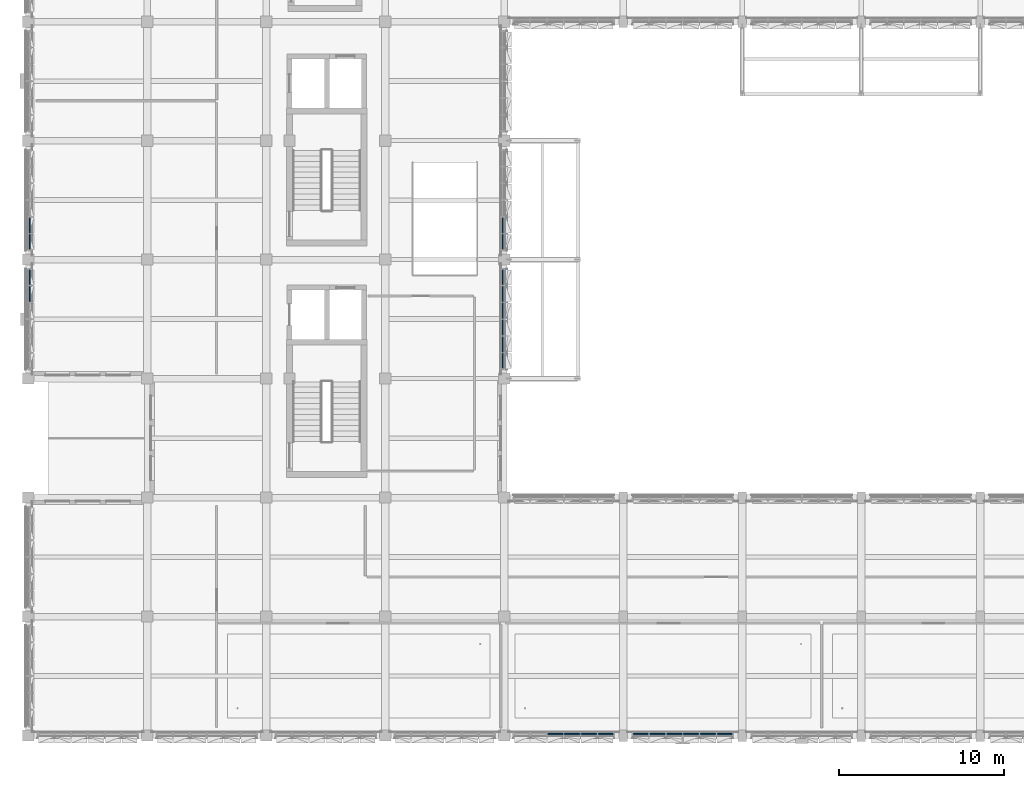
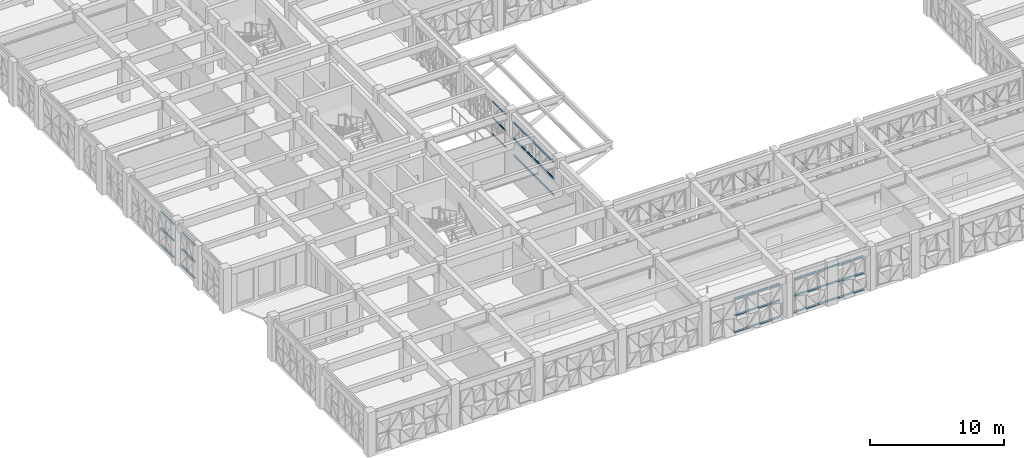
# One storey, part 20 of 88: 66 members, 6 elements without a shape of their own.
"""IFC4 building model written with IfcOpenShell, lengths in metres."""

from ifc_helpers import new_model, si_unit, direction, frame, origin, origin_2d, place, context, subcontext, project, spatial, rectangle, extrude, material, material_profile, profile_set, type_object, element, aggregate, save


model = new_model("IFC4")

# Units and contexts
model_context = context("Model", 3, precision=1e-05, world=origin(), true_north=direction((0.0, 1.0)))
body_context = subcontext(model_context, "Body", "Model", "MODEL_VIEW")
ifc_project = project(units=[si_unit("LENGTHUNIT", "METRE"), si_unit("AREAUNIT", "SQUARE_METRE"), si_unit("VOLUMEUNIT", "CUBIC_METRE"), si_unit("PLANEANGLEUNIT", "RADIAN"), si_unit("MASSUNIT", "GRAM", prefix="KILO")], contexts=[model_context])

# Site, building, storey
site_placement = place(None, origin())
site = spatial("IfcSite", under=ifc_project, at=site_placement, CompositionType="ELEMENT")
building_placement = place(site_placement, origin())
building = spatial("IfcBuilding", under=site, at=building_placement, Name="Alvorim Cloister Faculty of Sciences", CompositionType="ELEMENT")
storey_placement = place(building_placement, frame((0.0, 0.0, 4.5)))
storey = spatial("IfcBuildingStorey", under=building, at=storey_placement, Name="L01", CompositionType="ELEMENT", Elevation=4.5)

# Curtain wall, members
ifc_material_1 = material(Name="Aluminium and Low-E Glass Curtain Wall", Category="aluminium")
curtain_wall_type = type_object("IfcCurtainWallType", Name="CW-TRI-6120x3170", PredefinedType="USERDEFINED", material=ifc_material_1)
curtain_wall_1_placement = place(storey_placement, origin())
curtain_wall_1 = element("IfcCurtainWall", 1, at=curtain_wall_1_placement, inside=storey, type_object=curtain_wall_type, Name="L01 Diagonal Cassette Curtain Wall CW-0007", ObjectType="UNITISED CURTAIN WALL", PredefinedType="USERDEFINED")
ifc_material_2 = material(Name="Aluminium Alloy 6063-T6", Category="aluminium")
ifc_material_profile = material_profile(ifc_material_2, rectangle(XDim=0.074951171875, YDim=0.159912109375, at=origin_2d()), Name="ALU-TRN-75x160")
ifc_profile_set = profile_set([ifc_material_profile], Name="Aluminium Alloy 6063-T6")
member_type = type_object("IfcMemberType", Name="CW-TRN-75x160", PredefinedType="USERDEFINED", material=ifc_profile_set)
member_1_placement = place(storey_placement, frame((0.090087890625, 26.257568359375, 0.080078125), z_axis=(0.0, 1.0, 0.0), x_axis=(-1.0, 0.0, 0.0)))
member_1 = element("IfcMember", 2, at=member_1_placement, type_object=member_type, Name="CW-0007 Transom 5.1", ObjectType="TRANSOM", PredefinedType="USERDEFINED", context=body_context, shape_type="SweptSolid", body=[
    extrude(rectangle(XDim=0.074951171875, YDim=0.159912109375, at=origin_2d()), origin(), (0.0, 0.0, 1.0), 0.94482421875),
])
member_2_placement = place(storey_placement, frame((0.090087890625, 26.257568359375, 1.5849609375), z_axis=(0.0, 1.0, 0.0), x_axis=(-1.0, 0.0, 0.0)))
member_2 = element("IfcMember", 3, at=member_2_placement, type_object=member_type, Name="CW-0007 Transom 5.2", ObjectType="TRANSOM", PredefinedType="USERDEFINED", context=body_context, shape_type="SweptSolid", body=[
    extrude(rectangle(XDim=0.074951171875, YDim=0.159912109375, at=origin_2d()), origin(), (0.0, 0.0, 1.0), 0.94482421875),
])
member_3_placement = place(storey_placement, frame((0.090087890625, 26.257568359375, 3.090087890625), z_axis=(0.0, 1.0, 0.0), x_axis=(-1.0, 0.0, 0.0)))
member_3 = element("IfcMember", 4, at=member_3_placement, type_object=member_type, Name="CW-0007 Transom 5.3", ObjectType="TRANSOM", PredefinedType="USERDEFINED", context=body_context, shape_type="SweptSolid", body=[
    extrude(rectangle(XDim=0.074951171875, YDim=0.159912109375, at=origin_2d()), origin(), (0.0, 0.0, 1.0), 0.94482421875),
])
member_4_placement = place(storey_placement, frame((0.090087890625, 27.277587890625, 0.080078125), z_axis=(0.0, 1.0, 0.0), x_axis=(-1.0, 0.0, 0.0)))
member_4 = element("IfcMember", 5, at=member_4_placement, type_object=member_type, Name="CW-0007 Transom 6.1", ObjectType="TRANSOM", PredefinedType="USERDEFINED", context=body_context, shape_type="SweptSolid", body=[
    extrude(rectangle(XDim=0.074951171875, YDim=0.159912109375, at=origin_2d()), origin(), (0.0, 0.0, 1.0), 0.907470703125),
])
member_5_placement = place(storey_placement, frame((0.090087890625, 27.277587890625, 1.5849609375), z_axis=(0.0, 1.0, 0.0), x_axis=(-1.0, 0.0, 0.0)))
member_5 = element("IfcMember", 6, at=member_5_placement, type_object=member_type, Name="CW-0007 Transom 6.2", ObjectType="TRANSOM", PredefinedType="USERDEFINED", context=body_context, shape_type="SweptSolid", body=[
    extrude(rectangle(XDim=0.074951171875, YDim=0.159912109375, at=origin_2d()), origin(), (0.0, 0.0, 1.0), 0.907470703125),
])
member_6_placement = place(storey_placement, frame((0.090087890625, 27.277587890625, 3.090087890625), z_axis=(0.0, 1.0, 0.0), x_axis=(-1.0, 0.0, 0.0)))
member_6 = element("IfcMember", 7, at=member_6_placement, type_object=member_type, Name="CW-0007 Transom 6.3", ObjectType="TRANSOM", PredefinedType="USERDEFINED", context=body_context, shape_type="SweptSolid", body=[
    extrude(rectangle(XDim=0.074951171875, YDim=0.159912109375, at=origin_2d()), origin(), (0.0, 0.0, 1.0), 0.907470703125),
])
aggregate(curtain_wall_1, [member_1, member_2, member_3, member_4, member_5, member_6])

curtain_wall_2_placement = place(storey_placement, origin())
curtain_wall_2 = element("IfcCurtainWall", 8, at=curtain_wall_2_placement, inside=storey, type_object=curtain_wall_type, Name="L01 Diagonal Cassette Curtain Wall CW-0008", ObjectType="UNITISED CURTAIN WALL", PredefinedType="USERDEFINED")
member_7_placement = place(storey_placement, frame((0.090087890625, 29.4150390625, 0.080078125), z_axis=(0.0, 1.0, 0.0), x_axis=(-1.0, 0.0, 0.0)))
member_7 = element("IfcMember", 9, at=member_7_placement, type_object=member_type, Name="CW-0008 Transom 1.1", ObjectType="TRANSOM", PredefinedType="USERDEFINED", context=body_context, shape_type="SweptSolid", body=[
    extrude(rectangle(XDim=0.074951171875, YDim=0.159912109375, at=origin_2d()), origin(), (0.0, 0.0, 1.0), 0.907470703125),
])
member_8_placement = place(storey_placement, frame((0.090087890625, 29.4150390625, 1.5849609375), z_axis=(0.0, 1.0, 0.0), x_axis=(-1.0, 0.0, 0.0)))
member_8 = element("IfcMember", 10, at=member_8_placement, type_object=member_type, Name="CW-0008 Transom 1.2", ObjectType="TRANSOM", PredefinedType="USERDEFINED", context=body_context, shape_type="SweptSolid", body=[
    extrude(rectangle(XDim=0.074951171875, YDim=0.159912109375, at=origin_2d()), origin(), (0.0, 0.0, 1.0), 0.907470703125),
])
member_9_placement = place(storey_placement, frame((0.090087890625, 29.4150390625, 3.090087890625), z_axis=(0.0, 1.0, 0.0), x_axis=(-1.0, 0.0, 0.0)))
member_9 = element("IfcMember", 11, at=member_9_placement, type_object=member_type, Name="CW-0008 Transom 1.3", ObjectType="TRANSOM", PredefinedType="USERDEFINED", context=body_context, shape_type="SweptSolid", body=[
    extrude(rectangle(XDim=0.074951171875, YDim=0.159912109375, at=origin_2d()), origin(), (0.0, 0.0, 1.0), 0.907470703125),
])
member_10_placement = place(storey_placement, frame((0.090087890625, 30.3974609375, 0.080078125), z_axis=(0.0, 1.0, 0.0), x_axis=(-1.0, 0.0, 0.0)))
member_10 = element("IfcMember", 12, at=member_10_placement, type_object=member_type, Name="CW-0008 Transom 2.1", ObjectType="TRANSOM", PredefinedType="USERDEFINED", context=body_context, shape_type="SweptSolid", body=[
    extrude(rectangle(XDim=0.074951171875, YDim=0.159912109375, at=origin_2d()), origin(), (0.0, 0.0, 1.0), 0.945068359375),
])
member_11_placement = place(storey_placement, frame((0.090087890625, 30.3974609375, 1.5849609375), z_axis=(0.0, 1.0, 0.0), x_axis=(-1.0, 0.0, 0.0)))
member_11 = element("IfcMember", 13, at=member_11_placement, type_object=member_type, Name="CW-0008 Transom 2.2", ObjectType="TRANSOM", PredefinedType="USERDEFINED", context=body_context, shape_type="SweptSolid", body=[
    extrude(rectangle(XDim=0.074951171875, YDim=0.159912109375, at=origin_2d()), origin(), (0.0, 0.0, 1.0), 0.945068359375),
])
member_12_placement = place(storey_placement, frame((0.090087890625, 30.3974609375, 3.090087890625), z_axis=(0.0, 1.0, 0.0), x_axis=(-1.0, 0.0, 0.0)))
member_12 = element("IfcMember", 14, at=member_12_placement, type_object=member_type, Name="CW-0008 Transom 2.3", ObjectType="TRANSOM", PredefinedType="USERDEFINED", context=body_context, shape_type="SweptSolid", body=[
    extrude(rectangle(XDim=0.074951171875, YDim=0.159912109375, at=origin_2d()), origin(), (0.0, 0.0, 1.0), 0.945068359375),
])
aggregate(curtain_wall_2, [member_7, member_8, member_9, member_10, member_11, member_12])

curtain_wall_3_placement = place(storey_placement, origin())
curtain_wall_3 = element("IfcCurtainWall", 15, at=curtain_wall_3_placement, inside=storey, type_object=curtain_wall_type, Name="L01 Diagonal Cassette Curtain Wall CW-0025", ObjectType="UNITISED CURTAIN WALL", PredefinedType="USERDEFINED")
member_13_placement = place(storey_placement, frame((28.7099609375, 29.4150390625, 0.080078125), z_axis=(0.0, 1.0, 0.0), x_axis=(-1.0, 0.0, 0.0)))
member_13 = element("IfcMember", 16, at=member_13_placement, type_object=member_type, Name="CW-0025 Transom 1.1", ObjectType="TRANSOM", PredefinedType="USERDEFINED", context=body_context, shape_type="SweptSolid", body=[
    extrude(rectangle(XDim=0.074951171875, YDim=0.159912109375, at=origin_2d()), origin(), (0.0, 0.0, 1.0), 0.907470703125),
])
member_14_placement = place(storey_placement, frame((28.7099609375, 29.4150390625, 1.5849609375), z_axis=(0.0, 1.0, 0.0), x_axis=(-1.0, 0.0, 0.0)))
member_14 = element("IfcMember", 17, at=member_14_placement, type_object=member_type, Name="CW-0025 Transom 1.2", ObjectType="TRANSOM", PredefinedType="USERDEFINED", context=body_context, shape_type="SweptSolid", body=[
    extrude(rectangle(XDim=0.074951171875, YDim=0.159912109375, at=origin_2d()), origin(), (0.0, 0.0, 1.0), 0.907470703125),
])
member_15_placement = place(storey_placement, frame((28.7099609375, 29.4150390625, 3.090087890625), z_axis=(0.0, 1.0, 0.0), x_axis=(-1.0, 0.0, 0.0)))
member_15 = element("IfcMember", 18, at=member_15_placement, type_object=member_type, Name="CW-0025 Transom 1.3", ObjectType="TRANSOM", PredefinedType="USERDEFINED", context=body_context, shape_type="SweptSolid", body=[
    extrude(rectangle(XDim=0.074951171875, YDim=0.159912109375, at=origin_2d()), origin(), (0.0, 0.0, 1.0), 0.907470703125),
])
member_16_placement = place(storey_placement, frame((28.7099609375, 30.3974609375, 0.080078125), z_axis=(0.0, 1.0, 0.0), x_axis=(-1.0, 0.0, 0.0)))
member_16 = element("IfcMember", 19, at=member_16_placement, type_object=member_type, Name="CW-0025 Transom 2.1", ObjectType="TRANSOM", PredefinedType="USERDEFINED", context=body_context, shape_type="SweptSolid", body=[
    extrude(rectangle(XDim=0.074951171875, YDim=0.159912109375, at=origin_2d()), origin(), (0.0, 0.0, 1.0), 0.945068359375),
])
member_17_placement = place(storey_placement, frame((28.7099609375, 30.3974609375, 1.5849609375), z_axis=(0.0, 1.0, 0.0), x_axis=(-1.0, 0.0, 0.0)))
member_17 = element("IfcMember", 20, at=member_17_placement, type_object=member_type, Name="CW-0025 Transom 2.2", ObjectType="TRANSOM", PredefinedType="USERDEFINED", context=body_context, shape_type="SweptSolid", body=[
    extrude(rectangle(XDim=0.074951171875, YDim=0.159912109375, at=origin_2d()), origin(), (0.0, 0.0, 1.0), 0.945068359375),
])
member_18_placement = place(storey_placement, frame((28.7099609375, 30.3974609375, 3.090087890625), z_axis=(0.0, 1.0, 0.0), x_axis=(-1.0, 0.0, 0.0)))
member_18 = element("IfcMember", 21, at=member_18_placement, type_object=member_type, Name="CW-0025 Transom 2.3", ObjectType="TRANSOM", PredefinedType="USERDEFINED", context=body_context, shape_type="SweptSolid", body=[
    extrude(rectangle(XDim=0.074951171875, YDim=0.159912109375, at=origin_2d()), origin(), (0.0, 0.0, 1.0), 0.945068359375),
])
aggregate(curtain_wall_3, [member_13, member_14, member_15, member_16, member_17, member_18])

curtain_wall_4_placement = place(storey_placement, origin())
curtain_wall_4 = element("IfcCurtainWall", 22, at=curtain_wall_4_placement, inside=storey, type_object=curtain_wall_type, Name="L01 Diagonal Cassette Curtain Wall CW-0026", ObjectType="UNITISED CURTAIN WALL", PredefinedType="USERDEFINED")
member_19_placement = place(storey_placement, frame((28.7099609375, 22.215087890625, 0.080078125), z_axis=(0.0, 1.0, 0.0), x_axis=(-1.0, 0.0, 0.0)))
member_19 = element("IfcMember", 23, at=member_19_placement, type_object=member_type, Name="CW-0026 Transom 1.1", ObjectType="TRANSOM", PredefinedType="USERDEFINED", context=body_context, shape_type="SweptSolid", body=[
    extrude(rectangle(XDim=0.074951171875, YDim=0.159912109375, at=origin_2d()), origin(), (0.0, 0.0, 1.0), 0.907470703125),
])
member_20_placement = place(storey_placement, frame((28.7099609375, 22.215087890625, 1.5849609375), z_axis=(0.0, 1.0, 0.0), x_axis=(-1.0, 0.0, 0.0)))
member_20 = element("IfcMember", 24, at=member_20_placement, type_object=member_type, Name="CW-0026 Transom 1.2", ObjectType="TRANSOM", PredefinedType="USERDEFINED", context=body_context, shape_type="SweptSolid", body=[
    extrude(rectangle(XDim=0.074951171875, YDim=0.159912109375, at=origin_2d()), origin(), (0.0, 0.0, 1.0), 0.907470703125),
])
member_21_placement = place(storey_placement, frame((28.7099609375, 22.215087890625, 3.090087890625), z_axis=(0.0, 1.0, 0.0), x_axis=(-1.0, 0.0, 0.0)))
member_21 = element("IfcMember", 25, at=member_21_placement, type_object=member_type, Name="CW-0026 Transom 1.3", ObjectType="TRANSOM", PredefinedType="USERDEFINED", context=body_context, shape_type="SweptSolid", body=[
    extrude(rectangle(XDim=0.074951171875, YDim=0.159912109375, at=origin_2d()), origin(), (0.0, 0.0, 1.0), 0.907470703125),
])
member_22_placement = place(storey_placement, frame((28.7099609375, 23.197509765625, 0.080078125), z_axis=(0.0, 1.0, 0.0), x_axis=(-1.0, 0.0, 0.0)))
member_22 = element("IfcMember", 26, at=member_22_placement, type_object=member_type, Name="CW-0026 Transom 2.1", ObjectType="TRANSOM", PredefinedType="USERDEFINED", context=body_context, shape_type="SweptSolid", body=[
    extrude(rectangle(XDim=0.074951171875, YDim=0.159912109375, at=origin_2d()), origin(), (0.0, 0.0, 1.0), 0.945068359375),
])
member_23_placement = place(storey_placement, frame((28.7099609375, 23.197509765625, 1.5849609375), z_axis=(0.0, 1.0, 0.0), x_axis=(-1.0, 0.0, 0.0)))
member_23 = element("IfcMember", 27, at=member_23_placement, type_object=member_type, Name="CW-0026 Transom 2.2", ObjectType="TRANSOM", PredefinedType="USERDEFINED", context=body_context, shape_type="SweptSolid", body=[
    extrude(rectangle(XDim=0.074951171875, YDim=0.159912109375, at=origin_2d()), origin(), (0.0, 0.0, 1.0), 0.945068359375),
])
member_24_placement = place(storey_placement, frame((28.7099609375, 23.197509765625, 3.090087890625), z_axis=(0.0, 1.0, 0.0), x_axis=(-1.0, 0.0, 0.0)))
member_24 = element("IfcMember", 28, at=member_24_placement, type_object=member_type, Name="CW-0026 Transom 2.3", ObjectType="TRANSOM", PredefinedType="USERDEFINED", context=body_context, shape_type="SweptSolid", body=[
    extrude(rectangle(XDim=0.074951171875, YDim=0.159912109375, at=origin_2d()), origin(), (0.0, 0.0, 1.0), 0.945068359375),
])
member_25_placement = place(storey_placement, frame((28.7099609375, 24.217529296875, 0.080078125), z_axis=(0.0, 1.0, 0.0), x_axis=(-1.0, 0.0, 0.0)))
member_25 = element("IfcMember", 29, at=member_25_placement, type_object=member_type, Name="CW-0026 Transom 3.1", ObjectType="TRANSOM", PredefinedType="USERDEFINED", context=body_context, shape_type="SweptSolid", body=[
    extrude(rectangle(XDim=0.074951171875, YDim=0.159912109375, at=origin_2d()), origin(), (0.0, 0.0, 1.0), 0.945068359375),
])
member_26_placement = place(storey_placement, frame((28.7099609375, 24.217529296875, 1.5849609375), z_axis=(0.0, 1.0, 0.0), x_axis=(-1.0, 0.0, 0.0)))
member_26 = element("IfcMember", 30, at=member_26_placement, type_object=member_type, Name="CW-0026 Transom 3.2", ObjectType="TRANSOM", PredefinedType="USERDEFINED", context=body_context, shape_type="SweptSolid", body=[
    extrude(rectangle(XDim=0.074951171875, YDim=0.159912109375, at=origin_2d()), origin(), (0.0, 0.0, 1.0), 0.945068359375),
])
member_27_placement = place(storey_placement, frame((28.7099609375, 24.217529296875, 3.090087890625), z_axis=(0.0, 1.0, 0.0), x_axis=(-1.0, 0.0, 0.0)))
member_27 = element("IfcMember", 31, at=member_27_placement, type_object=member_type, Name="CW-0026 Transom 3.3", ObjectType="TRANSOM", PredefinedType="USERDEFINED", context=body_context, shape_type="SweptSolid", body=[
    extrude(rectangle(XDim=0.074951171875, YDim=0.159912109375, at=origin_2d()), origin(), (0.0, 0.0, 1.0), 0.945068359375),
])
member_28_placement = place(storey_placement, frame((28.7099609375, 25.237548828125, 0.080078125), z_axis=(0.0, 1.0, 0.0), x_axis=(-1.0, 0.0, 0.0)))
member_28 = element("IfcMember", 32, at=member_28_placement, type_object=member_type, Name="CW-0026 Transom 4.1", ObjectType="TRANSOM", PredefinedType="USERDEFINED", context=body_context, shape_type="SweptSolid", body=[
    extrude(rectangle(XDim=0.074951171875, YDim=0.159912109375, at=origin_2d()), origin(), (0.0, 0.0, 1.0), 0.945068359375),
])
member_29_placement = place(storey_placement, frame((28.7099609375, 25.237548828125, 1.5849609375), z_axis=(0.0, 1.0, 0.0), x_axis=(-1.0, 0.0, 0.0)))
member_29 = element("IfcMember", 33, at=member_29_placement, type_object=member_type, Name="CW-0026 Transom 4.2", ObjectType="TRANSOM", PredefinedType="USERDEFINED", context=body_context, shape_type="SweptSolid", body=[
    extrude(rectangle(XDim=0.074951171875, YDim=0.159912109375, at=origin_2d()), origin(), (0.0, 0.0, 1.0), 0.945068359375),
])
member_30_placement = place(storey_placement, frame((28.7099609375, 25.237548828125, 3.090087890625), z_axis=(0.0, 1.0, 0.0), x_axis=(-1.0, 0.0, 0.0)))
member_30 = element("IfcMember", 34, at=member_30_placement, type_object=member_type, Name="CW-0026 Transom 4.3", ObjectType="TRANSOM", PredefinedType="USERDEFINED", context=body_context, shape_type="SweptSolid", body=[
    extrude(rectangle(XDim=0.074951171875, YDim=0.159912109375, at=origin_2d()), origin(), (0.0, 0.0, 1.0), 0.945068359375),
])
member_31_placement = place(storey_placement, frame((28.7099609375, 26.257568359375, 0.080078125), z_axis=(0.0, 1.0, 0.0), x_axis=(-1.0, 0.0, 0.0)))
member_31 = element("IfcMember", 35, at=member_31_placement, type_object=member_type, Name="CW-0026 Transom 5.1", ObjectType="TRANSOM", PredefinedType="USERDEFINED", context=body_context, shape_type="SweptSolid", body=[
    extrude(rectangle(XDim=0.074951171875, YDim=0.159912109375, at=origin_2d()), origin(), (0.0, 0.0, 1.0), 0.94482421875),
])
member_32_placement = place(storey_placement, frame((28.7099609375, 26.257568359375, 1.5849609375), z_axis=(0.0, 1.0, 0.0), x_axis=(-1.0, 0.0, 0.0)))
member_32 = element("IfcMember", 36, at=member_32_placement, type_object=member_type, Name="CW-0026 Transom 5.2", ObjectType="TRANSOM", PredefinedType="USERDEFINED", context=body_context, shape_type="SweptSolid", body=[
    extrude(rectangle(XDim=0.074951171875, YDim=0.159912109375, at=origin_2d()), origin(), (0.0, 0.0, 1.0), 0.94482421875),
])
member_33_placement = place(storey_placement, frame((28.7099609375, 26.257568359375, 3.090087890625), z_axis=(0.0, 1.0, 0.0), x_axis=(-1.0, 0.0, 0.0)))
member_33 = element("IfcMember", 37, at=member_33_placement, type_object=member_type, Name="CW-0026 Transom 5.3", ObjectType="TRANSOM", PredefinedType="USERDEFINED", context=body_context, shape_type="SweptSolid", body=[
    extrude(rectangle(XDim=0.074951171875, YDim=0.159912109375, at=origin_2d()), origin(), (0.0, 0.0, 1.0), 0.94482421875),
])
member_34_placement = place(storey_placement, frame((28.7099609375, 27.277587890625, 0.080078125), z_axis=(0.0, 1.0, 0.0), x_axis=(-1.0, 0.0, 0.0)))
member_34 = element("IfcMember", 38, at=member_34_placement, type_object=member_type, Name="CW-0026 Transom 6.1", ObjectType="TRANSOM", PredefinedType="USERDEFINED", context=body_context, shape_type="SweptSolid", body=[
    extrude(rectangle(XDim=0.074951171875, YDim=0.159912109375, at=origin_2d()), origin(), (0.0, 0.0, 1.0), 0.907470703125),
])
member_35_placement = place(storey_placement, frame((28.7099609375, 27.277587890625, 1.5849609375), z_axis=(0.0, 1.0, 0.0), x_axis=(-1.0, 0.0, 0.0)))
member_35 = element("IfcMember", 39, at=member_35_placement, type_object=member_type, Name="CW-0026 Transom 6.2", ObjectType="TRANSOM", PredefinedType="USERDEFINED", context=body_context, shape_type="SweptSolid", body=[
    extrude(rectangle(XDim=0.074951171875, YDim=0.159912109375, at=origin_2d()), origin(), (0.0, 0.0, 1.0), 0.907470703125),
])
member_36_placement = place(storey_placement, frame((28.7099609375, 27.277587890625, 3.090087890625), z_axis=(0.0, 1.0, 0.0), x_axis=(-1.0, 0.0, 0.0)))
member_36 = element("IfcMember", 40, at=member_36_placement, type_object=member_type, Name="CW-0026 Transom 6.3", ObjectType="TRANSOM", PredefinedType="USERDEFINED", context=body_context, shape_type="SweptSolid", body=[
    extrude(rectangle(XDim=0.074951171875, YDim=0.159912109375, at=origin_2d()), origin(), (0.0, 0.0, 1.0), 0.907470703125),
])
aggregate(curtain_wall_4, [member_19, member_20, member_21, member_22, member_23, member_24, member_25, member_26, member_27, member_28, member_29, member_30, member_31, member_32, member_33, member_34, member_35, member_36])

curtain_wall_5_placement = place(storey_placement, origin())
curtain_wall_5 = element("IfcCurtainWall", 41, at=curtain_wall_5_placement, inside=storey, type_object=curtain_wall_type, Name="L01 Diagonal Cassette Curtain Wall CW-0043", ObjectType="UNITISED CURTAIN WALL", PredefinedType="USERDEFINED")
member_37_placement = place(storey_placement, frame((36.614990234375, 0.090087890625, 0.080078125), z_axis=(1.0, 0.0, 0.0), x_axis=(0.0, 1.0, 0.0)))
member_37 = element("IfcMember", 42, at=member_37_placement, type_object=member_type, Name="CW-0043 Transom 1.1", ObjectType="TRANSOM", PredefinedType="USERDEFINED", context=body_context, shape_type="SweptSolid", body=[
    extrude(rectangle(XDim=0.074951171875, YDim=0.159912109375, at=origin_2d()), origin(), (0.0, 0.0, 1.0), 0.907470703125),
])
member_38_placement = place(storey_placement, frame((36.614990234375, 0.090087890625, 1.5849609375), z_axis=(1.0, 0.0, 0.0), x_axis=(0.0, 1.0, 0.0)))
member_38 = element("IfcMember", 43, at=member_38_placement, type_object=member_type, Name="CW-0043 Transom 1.2", ObjectType="TRANSOM", PredefinedType="USERDEFINED", context=body_context, shape_type="SweptSolid", body=[
    extrude(rectangle(XDim=0.074951171875, YDim=0.159912109375, at=origin_2d()), origin(), (0.0, 0.0, 1.0), 0.907470703125),
])
member_39_placement = place(storey_placement, frame((36.614990234375, 0.090087890625, 3.090087890625), z_axis=(1.0, 0.0, 0.0), x_axis=(0.0, 1.0, 0.0)))
member_39 = element("IfcMember", 44, at=member_39_placement, type_object=member_type, Name="CW-0043 Transom 1.3", ObjectType="TRANSOM", PredefinedType="USERDEFINED", context=body_context, shape_type="SweptSolid", body=[
    extrude(rectangle(XDim=0.074951171875, YDim=0.159912109375, at=origin_2d()), origin(), (0.0, 0.0, 1.0), 0.907470703125),
])
member_40_placement = place(storey_placement, frame((37.597412109375, 0.090087890625, 0.080078125), z_axis=(1.0, 0.0, 0.0), x_axis=(0.0, 1.0, 0.0)))
member_40 = element("IfcMember", 45, at=member_40_placement, type_object=member_type, Name="CW-0043 Transom 2.1", ObjectType="TRANSOM", PredefinedType="USERDEFINED", context=body_context, shape_type="SweptSolid", body=[
    extrude(rectangle(XDim=0.074951171875, YDim=0.159912109375, at=origin_2d()), origin(), (0.0, 0.0, 1.0), 0.945068359375),
])
member_41_placement = place(storey_placement, frame((37.597412109375, 0.090087890625, 1.5849609375), z_axis=(1.0, 0.0, 0.0), x_axis=(0.0, 1.0, 0.0)))
member_41 = element("IfcMember", 46, at=member_41_placement, type_object=member_type, Name="CW-0043 Transom 2.2", ObjectType="TRANSOM", PredefinedType="USERDEFINED", context=body_context, shape_type="SweptSolid", body=[
    extrude(rectangle(XDim=0.074951171875, YDim=0.159912109375, at=origin_2d()), origin(), (0.0, 0.0, 1.0), 0.945068359375),
])
member_42_placement = place(storey_placement, frame((37.597412109375, 0.090087890625, 3.090087890625), z_axis=(1.0, 0.0, 0.0), x_axis=(0.0, 1.0, 0.0)))
member_42 = element("IfcMember", 47, at=member_42_placement, type_object=member_type, Name="CW-0043 Transom 2.3", ObjectType="TRANSOM", PredefinedType="USERDEFINED", context=body_context, shape_type="SweptSolid", body=[
    extrude(rectangle(XDim=0.074951171875, YDim=0.159912109375, at=origin_2d()), origin(), (0.0, 0.0, 1.0), 0.945068359375),
])
member_43_placement = place(storey_placement, frame((38.617431640625, 0.090087890625, 0.080078125), z_axis=(1.0, 0.0, 0.0), x_axis=(0.0, 1.0, 0.0)))
member_43 = element("IfcMember", 48, at=member_43_placement, type_object=member_type, Name="CW-0043 Transom 3.1", ObjectType="TRANSOM", PredefinedType="USERDEFINED", context=body_context, shape_type="SweptSolid", body=[
    extrude(rectangle(XDim=0.074951171875, YDim=0.159912109375, at=origin_2d()), origin(), (0.0, 0.0, 1.0), 0.945068359375),
])
member_44_placement = place(storey_placement, frame((38.617431640625, 0.090087890625, 1.5849609375), z_axis=(1.0, 0.0, 0.0), x_axis=(0.0, 1.0, 0.0)))
member_44 = element("IfcMember", 49, at=member_44_placement, type_object=member_type, Name="CW-0043 Transom 3.2", ObjectType="TRANSOM", PredefinedType="USERDEFINED", context=body_context, shape_type="SweptSolid", body=[
    extrude(rectangle(XDim=0.074951171875, YDim=0.159912109375, at=origin_2d()), origin(), (0.0, 0.0, 1.0), 0.945068359375),
])
member_45_placement = place(storey_placement, frame((38.617431640625, 0.090087890625, 3.090087890625), z_axis=(1.0, 0.0, 0.0), x_axis=(0.0, 1.0, 0.0)))
member_45 = element("IfcMember", 50, at=member_45_placement, type_object=member_type, Name="CW-0043 Transom 3.3", ObjectType="TRANSOM", PredefinedType="USERDEFINED", context=body_context, shape_type="SweptSolid", body=[
    extrude(rectangle(XDim=0.074951171875, YDim=0.159912109375, at=origin_2d()), origin(), (0.0, 0.0, 1.0), 0.945068359375),
])
member_46_placement = place(storey_placement, frame((39.637451171875, 0.090087890625, 0.080078125), z_axis=(1.0, 0.0, 0.0), x_axis=(0.0, 1.0, 0.0)))
member_46 = element("IfcMember", 51, at=member_46_placement, type_object=member_type, Name="CW-0043 Transom 4.1", ObjectType="TRANSOM", PredefinedType="USERDEFINED", context=body_context, shape_type="SweptSolid", body=[
    extrude(rectangle(XDim=0.074951171875, YDim=0.159912109375, at=origin_2d()), origin(), (0.0, 0.0, 1.0), 0.945068359375),
])
member_47_placement = place(storey_placement, frame((39.637451171875, 0.090087890625, 1.5849609375), z_axis=(1.0, 0.0, 0.0), x_axis=(0.0, 1.0, 0.0)))
member_47 = element("IfcMember", 52, at=member_47_placement, type_object=member_type, Name="CW-0043 Transom 4.2", ObjectType="TRANSOM", PredefinedType="USERDEFINED", context=body_context, shape_type="SweptSolid", body=[
    extrude(rectangle(XDim=0.074951171875, YDim=0.159912109375, at=origin_2d()), origin(), (0.0, 0.0, 1.0), 0.945068359375),
])
member_48_placement = place(storey_placement, frame((39.637451171875, 0.090087890625, 3.090087890625), z_axis=(1.0, 0.0, 0.0), x_axis=(0.0, 1.0, 0.0)))
member_48 = element("IfcMember", 53, at=member_48_placement, type_object=member_type, Name="CW-0043 Transom 4.3", ObjectType="TRANSOM", PredefinedType="USERDEFINED", context=body_context, shape_type="SweptSolid", body=[
    extrude(rectangle(XDim=0.074951171875, YDim=0.159912109375, at=origin_2d()), origin(), (0.0, 0.0, 1.0), 0.945068359375),
])
member_49_placement = place(storey_placement, frame((40.657470703125, 0.090087890625, 0.080078125), z_axis=(1.0, 0.0, 0.0), x_axis=(0.0, 1.0, 0.0)))
member_49 = element("IfcMember", 54, at=member_49_placement, type_object=member_type, Name="CW-0043 Transom 5.1", ObjectType="TRANSOM", PredefinedType="USERDEFINED", context=body_context, shape_type="SweptSolid", body=[
    extrude(rectangle(XDim=0.074951171875, YDim=0.159912109375, at=origin_2d()), origin(), (0.0, 0.0, 1.0), 0.945068359375),
])
member_50_placement = place(storey_placement, frame((40.657470703125, 0.090087890625, 1.5849609375), z_axis=(1.0, 0.0, 0.0), x_axis=(0.0, 1.0, 0.0)))
member_50 = element("IfcMember", 55, at=member_50_placement, type_object=member_type, Name="CW-0043 Transom 5.2", ObjectType="TRANSOM", PredefinedType="USERDEFINED", context=body_context, shape_type="SweptSolid", body=[
    extrude(rectangle(XDim=0.074951171875, YDim=0.159912109375, at=origin_2d()), origin(), (0.0, 0.0, 1.0), 0.945068359375),
])
member_51_placement = place(storey_placement, frame((40.657470703125, 0.090087890625, 3.090087890625), z_axis=(1.0, 0.0, 0.0), x_axis=(0.0, 1.0, 0.0)))
member_51 = element("IfcMember", 56, at=member_51_placement, type_object=member_type, Name="CW-0043 Transom 5.3", ObjectType="TRANSOM", PredefinedType="USERDEFINED", context=body_context, shape_type="SweptSolid", body=[
    extrude(rectangle(XDim=0.074951171875, YDim=0.159912109375, at=origin_2d()), origin(), (0.0, 0.0, 1.0), 0.945068359375),
])
member_52_placement = place(storey_placement, frame((41.677490234375, 0.090087890625, 0.080078125), z_axis=(1.0, 0.0, 0.0), x_axis=(0.0, 1.0, 0.0)))
member_52 = element("IfcMember", 57, at=member_52_placement, type_object=member_type, Name="CW-0043 Transom 6.1", ObjectType="TRANSOM", PredefinedType="USERDEFINED", context=body_context, shape_type="SweptSolid", body=[
    extrude(rectangle(XDim=0.074951171875, YDim=0.159912109375, at=origin_2d()), origin(), (0.0, 0.0, 1.0), 0.907470703125),
])
member_53_placement = place(storey_placement, frame((41.677490234375, 0.090087890625, 1.5849609375), z_axis=(1.0, 0.0, 0.0), x_axis=(0.0, 1.0, 0.0)))
member_53 = element("IfcMember", 58, at=member_53_placement, type_object=member_type, Name="CW-0043 Transom 6.2", ObjectType="TRANSOM", PredefinedType="USERDEFINED", context=body_context, shape_type="SweptSolid", body=[
    extrude(rectangle(XDim=0.074951171875, YDim=0.159912109375, at=origin_2d()), origin(), (0.0, 0.0, 1.0), 0.907470703125),
])
member_54_placement = place(storey_placement, frame((41.677490234375, 0.090087890625, 3.090087890625), z_axis=(1.0, 0.0, 0.0), x_axis=(0.0, 1.0, 0.0)))
member_54 = element("IfcMember", 59, at=member_54_placement, type_object=member_type, Name="CW-0043 Transom 6.3", ObjectType="TRANSOM", PredefinedType="USERDEFINED", context=body_context, shape_type="SweptSolid", body=[
    extrude(rectangle(XDim=0.074951171875, YDim=0.159912109375, at=origin_2d()), origin(), (0.0, 0.0, 1.0), 0.907470703125),
])
aggregate(curtain_wall_5, [member_37, member_38, member_39, member_40, member_41, member_42, member_43, member_44, member_45, member_46, member_47, member_48, member_49, member_50, member_51, member_52, member_53, member_54])

curtain_wall_6_placement = place(storey_placement, origin())
curtain_wall_6 = element("IfcCurtainWall", 60, at=curtain_wall_6_placement, inside=storey, type_object=curtain_wall_type, Name="L01 Diagonal Cassette Curtain Wall CW-0044", ObjectType="UNITISED CURTAIN WALL", PredefinedType="USERDEFINED")
member_55_placement = place(storey_placement, frame((31.41748046875, 0.090087890625, 0.080078125), z_axis=(1.0, 0.0, 0.0), x_axis=(0.0, 1.0, 0.0)))
member_55 = element("IfcMember", 61, at=member_55_placement, type_object=member_type, Name="CW-0044 Transom 3.1", ObjectType="TRANSOM", PredefinedType="USERDEFINED", context=body_context, shape_type="SweptSolid", body=[
    extrude(rectangle(XDim=0.074951171875, YDim=0.159912109375, at=origin_2d()), origin(), (0.0, 0.0, 1.0), 0.945068359375),
])
member_56_placement = place(storey_placement, frame((31.41748046875, 0.090087890625, 1.5849609375), z_axis=(1.0, 0.0, 0.0), x_axis=(0.0, 1.0, 0.0)))
member_56 = element("IfcMember", 62, at=member_56_placement, type_object=member_type, Name="CW-0044 Transom 3.2", ObjectType="TRANSOM", PredefinedType="USERDEFINED", context=body_context, shape_type="SweptSolid", body=[
    extrude(rectangle(XDim=0.074951171875, YDim=0.159912109375, at=origin_2d()), origin(), (0.0, 0.0, 1.0), 0.945068359375),
])
member_57_placement = place(storey_placement, frame((31.41748046875, 0.090087890625, 3.090087890625), z_axis=(1.0, 0.0, 0.0), x_axis=(0.0, 1.0, 0.0)))
member_57 = element("IfcMember", 63, at=member_57_placement, type_object=member_type, Name="CW-0044 Transom 3.3", ObjectType="TRANSOM", PredefinedType="USERDEFINED", context=body_context, shape_type="SweptSolid", body=[
    extrude(rectangle(XDim=0.074951171875, YDim=0.159912109375, at=origin_2d()), origin(), (0.0, 0.0, 1.0), 0.945068359375),
])
member_58_placement = place(storey_placement, frame((32.4375, 0.090087890625, 0.080078125), z_axis=(1.0, 0.0, 0.0), x_axis=(0.0, 1.0, 0.0)))
member_58 = element("IfcMember", 64, at=member_58_placement, type_object=member_type, Name="CW-0044 Transom 4.1", ObjectType="TRANSOM", PredefinedType="USERDEFINED", context=body_context, shape_type="SweptSolid", body=[
    extrude(rectangle(XDim=0.074951171875, YDim=0.159912109375, at=origin_2d()), origin(), (0.0, 0.0, 1.0), 0.945068359375),
])
member_59_placement = place(storey_placement, frame((32.4375, 0.090087890625, 1.5849609375), z_axis=(1.0, 0.0, 0.0), x_axis=(0.0, 1.0, 0.0)))
member_59 = element("IfcMember", 65, at=member_59_placement, type_object=member_type, Name="CW-0044 Transom 4.2", ObjectType="TRANSOM", PredefinedType="USERDEFINED", context=body_context, shape_type="SweptSolid", body=[
    extrude(rectangle(XDim=0.074951171875, YDim=0.159912109375, at=origin_2d()), origin(), (0.0, 0.0, 1.0), 0.945068359375),
])
member_60_placement = place(storey_placement, frame((32.4375, 0.090087890625, 3.090087890625), z_axis=(1.0, 0.0, 0.0), x_axis=(0.0, 1.0, 0.0)))
member_60 = element("IfcMember", 66, at=member_60_placement, type_object=member_type, Name="CW-0044 Transom 4.3", ObjectType="TRANSOM", PredefinedType="USERDEFINED", context=body_context, shape_type="SweptSolid", body=[
    extrude(rectangle(XDim=0.074951171875, YDim=0.159912109375, at=origin_2d()), origin(), (0.0, 0.0, 1.0), 0.945068359375),
])
member_61_placement = place(storey_placement, frame((33.45751953125, 0.090087890625, 0.080078125), z_axis=(1.0, 0.0, 0.0), x_axis=(0.0, 1.0, 0.0)))
member_61 = element("IfcMember", 67, at=member_61_placement, type_object=member_type, Name="CW-0044 Transom 5.1", ObjectType="TRANSOM", PredefinedType="USERDEFINED", context=body_context, shape_type="SweptSolid", body=[
    extrude(rectangle(XDim=0.074951171875, YDim=0.159912109375, at=origin_2d()), origin(), (0.0, 0.0, 1.0), 0.945068359375),
])
member_62_placement = place(storey_placement, frame((33.45751953125, 0.090087890625, 1.5849609375), z_axis=(1.0, 0.0, 0.0), x_axis=(0.0, 1.0, 0.0)))
member_62 = element("IfcMember", 68, at=member_62_placement, type_object=member_type, Name="CW-0044 Transom 5.2", ObjectType="TRANSOM", PredefinedType="USERDEFINED", context=body_context, shape_type="SweptSolid", body=[
    extrude(rectangle(XDim=0.074951171875, YDim=0.159912109375, at=origin_2d()), origin(), (0.0, 0.0, 1.0), 0.945068359375),
])
member_63_placement = place(storey_placement, frame((33.45751953125, 0.090087890625, 3.090087890625), z_axis=(1.0, 0.0, 0.0), x_axis=(0.0, 1.0, 0.0)))
member_63 = element("IfcMember", 69, at=member_63_placement, type_object=member_type, Name="CW-0044 Transom 5.3", ObjectType="TRANSOM", PredefinedType="USERDEFINED", context=body_context, shape_type="SweptSolid", body=[
    extrude(rectangle(XDim=0.074951171875, YDim=0.159912109375, at=origin_2d()), origin(), (0.0, 0.0, 1.0), 0.945068359375),
])
member_64_placement = place(storey_placement, frame((34.4775390625, 0.090087890625, 0.080078125), z_axis=(1.0, 0.0, 0.0), x_axis=(0.0, 1.0, 0.0)))
member_64 = element("IfcMember", 70, at=member_64_placement, type_object=member_type, Name="CW-0044 Transom 6.1", ObjectType="TRANSOM", PredefinedType="USERDEFINED", context=body_context, shape_type="SweptSolid", body=[
    extrude(rectangle(XDim=0.074951171875, YDim=0.159912109375, at=origin_2d()), origin(), (0.0, 0.0, 1.0), 0.907470703125),
])
member_65_placement = place(storey_placement, frame((34.4775390625, 0.090087890625, 1.5849609375), z_axis=(1.0, 0.0, 0.0), x_axis=(0.0, 1.0, 0.0)))
member_65 = element("IfcMember", 71, at=member_65_placement, type_object=member_type, Name="CW-0044 Transom 6.2", ObjectType="TRANSOM", PredefinedType="USERDEFINED", context=body_context, shape_type="SweptSolid", body=[
    extrude(rectangle(XDim=0.074951171875, YDim=0.159912109375, at=origin_2d()), origin(), (0.0, 0.0, 1.0), 0.907470703125),
])
member_66_placement = place(storey_placement, frame((34.4775390625, 0.090087890625, 3.090087890625), z_axis=(1.0, 0.0, 0.0), x_axis=(0.0, 1.0, 0.0)))
member_66 = element("IfcMember", 72, at=member_66_placement, type_object=member_type, Name="CW-0044 Transom 6.3", ObjectType="TRANSOM", PredefinedType="USERDEFINED", context=body_context, shape_type="SweptSolid", body=[
    extrude(rectangle(XDim=0.074951171875, YDim=0.159912109375, at=origin_2d()), origin(), (0.0, 0.0, 1.0), 0.907470703125),
])
aggregate(curtain_wall_6, [member_55, member_56, member_57, member_58, member_59, member_60, member_61, member_62, member_63, member_64, member_65, member_66])

save(model, "model.ifc")
